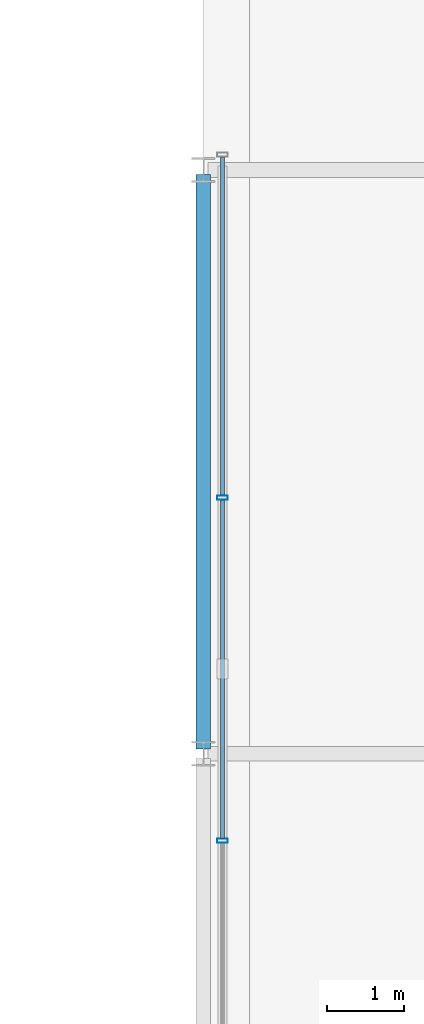
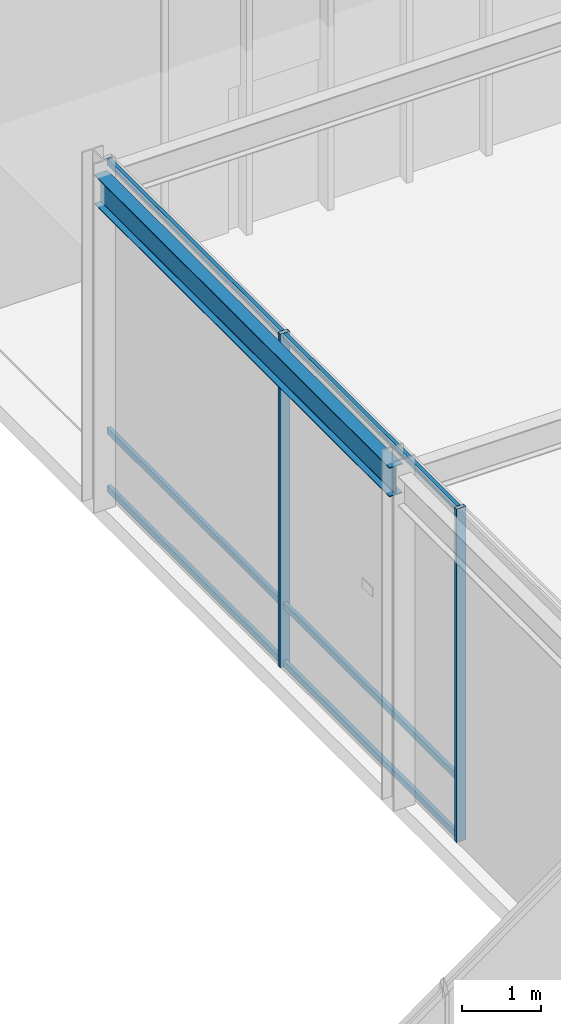
# One storey, part 32 of 157: 8 members, 1 beam, 1 element without a shape of its own.
"""IFC4 building model written with IfcOpenShell, lengths in metres."""

from ifc_helpers import new_model, si_unit, direction, frame, origin, origin_2d, place, context, subcontext, project, spatial, hollow_rectangle, i_section, extrude, material, material_profile, profile_set, type_object, element, aggregate, save


model = new_model("IFC4")

# Units and contexts
model_context = context("Model", 3, precision=1e-05, world=origin(), true_north=direction((0.0, 1.0)))
body_context = subcontext(model_context, "Body", "Model", "MODEL_VIEW")
ifc_project = project(units=[si_unit("LENGTHUNIT", "METRE"), si_unit("AREAUNIT", "SQUARE_METRE"), si_unit("VOLUMEUNIT", "CUBIC_METRE"), si_unit("PLANEANGLEUNIT", "RADIAN"), si_unit("MASSUNIT", "GRAM", prefix="KILO"), si_unit("THERMODYNAMICTEMPERATUREUNIT", "KELVIN"), si_unit("POWERUNIT", "WATT")], contexts=[model_context])

# Site, building, storey
site_placement = place(None, origin())
site = spatial("IfcSite", under=ifc_project, at=site_placement, CompositionType="ELEMENT")
building_placement = place(site_placement, origin())
building = spatial("IfcBuilding", under=site, at=building_placement, Name="Darbajah Civic Hall", CompositionType="ELEMENT")
storey_placement = place(building_placement, origin())
storey = spatial("IfcBuildingStorey", under=building, at=storey_placement, Name="L00", CompositionType="ELEMENT", Elevation=0.0)

# Curtain wall, members
ifc_material_1 = material(Name="Anodised Bronze Aluminium and Low-E Glazing", Category="aluminium")
curtain_wall_type = type_object("IfcCurtainWallType", Name="Unitised Curtain Wall CW-102 13400x5150", PredefinedType="USERDEFINED", material=ifc_material_1)
curtain_wall_placement = place(storey_placement, origin())
curtain_wall = element("IfcCurtainWall", 1, at=curtain_wall_placement, inside=storey, type_object=curtain_wall_type, Name="L00 unitised curtain wall CW-V6-PW-L00", ObjectType="UNITISED CURTAIN WALL", PredefinedType="USERDEFINED")
ifc_material_2 = material(Name="Anodised Bronze Aluminium", Category="aluminium")
ifc_material_profile_1 = material_profile(ifc_material_2, hollow_rectangle(XDim=0.054931640625, YDim=0.139892578125, WallThickness=0.003173828125, at=origin_2d()), Name="ALU MULLION 55x140")
ifc_profile_set_1 = profile_set([ifc_material_profile_1], Name="Anodised Bronze Aluminium")
member_type_1 = type_object("IfcMemberType", Name="ALU MULLION 55x140", PredefinedType="MULLION", material=ifc_profile_set_1)
member_1_placement = place(storey_placement, frame((84.25, 46.86669921875, 0.0), z_axis=(0.0, 0.0, 1.0), x_axis=(0.0, 1.0, 0.0)))
member_1 = element("IfcMember", 2, at=member_1_placement, type_object=member_type_1, Name="CW-V6-PW-L00 mullion 2", PredefinedType="MULLION", context=body_context, shape_type="SweptSolid", body=[
    extrude(hollow_rectangle(XDim=0.054931640625, YDim=0.139892578125, WallThickness=0.003173828125, at=origin_2d()), origin(), (0.0, 0.0, 1.0), 5.159912109375),
])
member_2_placement = place(storey_placement, frame((84.25, 51.333251953125, 0.0), z_axis=(0.0, 0.0, 1.0), x_axis=(0.0, 1.0, 0.0)))
member_2 = element("IfcMember", 3, at=member_2_placement, type_object=member_type_1, Name="CW-V6-PW-L00 mullion 3", PredefinedType="MULLION", context=body_context, shape_type="SweptSolid", body=[
    extrude(hollow_rectangle(XDim=0.054931640625, YDim=0.139892578125, WallThickness=0.003173828125, at=origin_2d()), origin(), (0.0, 0.0, 1.0), 5.159912109375),
])
ifc_material_profile_2 = material_profile(ifc_material_2, hollow_rectangle(XDim=0.054931640625, YDim=0.10009765625, WallThickness=0.0029296875, at=origin_2d()), Name="ALU TRANSOM 55x100")
ifc_profile_set_2 = profile_set([ifc_material_profile_2], Name="Anodised Bronze Aluminium")
member_type_2 = type_object("IfcMemberType", Name="ALU TRANSOM 55x100", PredefinedType="USERDEFINED", material=ifc_profile_set_2)
member_3_placement = place(storey_placement, frame((84.25, 46.899169921875, 0.050048828125), z_axis=(0.0, 1.0, 0.0), x_axis=(-1.0, 0.0, 0.0)))
member_3 = element("IfcMember", 4, at=member_3_placement, type_object=member_type_2, Name="CW-V6-PW-L00 transom 2.1", ObjectType="TRANSOM", PredefinedType="USERDEFINED", context=body_context, shape_type="SweptSolid", body=[
    extrude(hollow_rectangle(XDim=0.054931640625, YDim=0.10009765625, WallThickness=0.0029296875, at=origin_2d()), origin(), (0.0, 0.0, 1.0), 4.401611328125),
])
member_4_placement = place(storey_placement, frame((84.25, 46.899169921875, 0.949951171875), z_axis=(0.0, 1.0, 0.0), x_axis=(-1.0, 0.0, 0.0)))
member_4 = element("IfcMember", 5, at=member_4_placement, type_object=member_type_2, Name="CW-V6-PW-L00 transom 2.2", ObjectType="TRANSOM", PredefinedType="USERDEFINED", context=body_context, shape_type="SweptSolid", body=[
    extrude(hollow_rectangle(XDim=0.054931640625, YDim=0.10009765625, WallThickness=0.0029296875, at=origin_2d()), origin(), (0.0, 0.0, 1.0), 4.401611328125),
])
member_5_placement = place(storey_placement, frame((84.25, 46.899169921875, 5.110107421875), z_axis=(0.0, 1.0, 0.0), x_axis=(-1.0, 0.0, 0.0)))
member_5 = element("IfcMember", 6, at=member_5_placement, type_object=member_type_2, Name="CW-V6-PW-L00 transom 2.3", ObjectType="TRANSOM", PredefinedType="USERDEFINED", context=body_context, shape_type="SweptSolid", body=[
    extrude(hollow_rectangle(XDim=0.054931640625, YDim=0.10009765625, WallThickness=0.0029296875, at=origin_2d()), origin(), (0.0, 0.0, 1.0), 4.401611328125),
])
member_6_placement = place(storey_placement, frame((84.25, 51.36572265625, 0.050048828125), z_axis=(0.0, 1.0, 0.0), x_axis=(-1.0, 0.0, 0.0)))
member_6 = element("IfcMember", 7, at=member_6_placement, type_object=member_type_2, Name="CW-V6-PW-L00 transom 3.1", ObjectType="TRANSOM", PredefinedType="USERDEFINED", context=body_context, shape_type="SweptSolid", body=[
    extrude(hollow_rectangle(XDim=0.054931640625, YDim=0.10009765625, WallThickness=0.0029296875, at=origin_2d()), origin(), (0.0, 0.0, 1.0), 4.40185546875),
])
member_7_placement = place(storey_placement, frame((84.25, 51.36572265625, 0.949951171875), z_axis=(0.0, 1.0, 0.0), x_axis=(-1.0, 0.0, 0.0)))
member_7 = element("IfcMember", 8, at=member_7_placement, type_object=member_type_2, Name="CW-V6-PW-L00 transom 3.2", ObjectType="TRANSOM", PredefinedType="USERDEFINED", context=body_context, shape_type="SweptSolid", body=[
    extrude(hollow_rectangle(XDim=0.054931640625, YDim=0.10009765625, WallThickness=0.0029296875, at=origin_2d()), origin(), (0.0, 0.0, 1.0), 4.40185546875),
])
member_8_placement = place(storey_placement, frame((84.25, 51.36572265625, 5.110107421875), z_axis=(0.0, 1.0, 0.0), x_axis=(-1.0, 0.0, 0.0)))
member_8 = element("IfcMember", 9, at=member_8_placement, type_object=member_type_2, Name="CW-V6-PW-L00 transom 3.3", ObjectType="TRANSOM", PredefinedType="USERDEFINED", context=body_context, shape_type="SweptSolid", body=[
    extrude(hollow_rectangle(XDim=0.054931640625, YDim=0.10009765625, WallThickness=0.0029296875, at=origin_2d()), origin(), (0.0, 0.0, 1.0), 4.40185546875),
])
aggregate(curtain_wall, [member_1, member_2, member_3, member_4, member_5, member_6, member_7, member_8])

# Beam
ifc_material_3 = material(Name="Steel S355JR", Category="steel")
ifc_material_profile_3 = material_profile(ifc_material_3, i_section(OverallWidth=0.1904296875, OverallDepth=0.45703125, WebThickness=0.009033203125, FlangeThickness=0.014404296875, FilletRadius=0.01025390625, at=origin_2d()), Name="UB 457x191x74")
ifc_profile_set_3 = profile_set([ifc_material_profile_3], Name="Steel S355JR")
beam_type = type_object("IfcBeamType", Name="UB 457x191x74", PredefinedType="BEAM", material=ifc_profile_set_3)
beam_placement = place(storey_placement, frame((84.0, 48.06005859375, 4.931396484375), z_axis=(0.0, 1.0, 0.0), x_axis=(-1.0, 0.0, 0.0)))
element("IfcBeam", 10, at=beam_placement, inside=storey, type_object=beam_type, Name="L00 beam SB-457", PredefinedType="BEAM", context=body_context, shape_type="SweptSolid", body=[
    extrude(i_section(OverallWidth=0.1904296875, OverallDepth=0.45703125, WebThickness=0.009033203125, FlangeThickness=0.014404296875, FilletRadius=0.01025390625, at=origin_2d()), origin(), (0.0, 0.0, 1.0), 7.47998046875),
])

save(model, "model.ifc")
